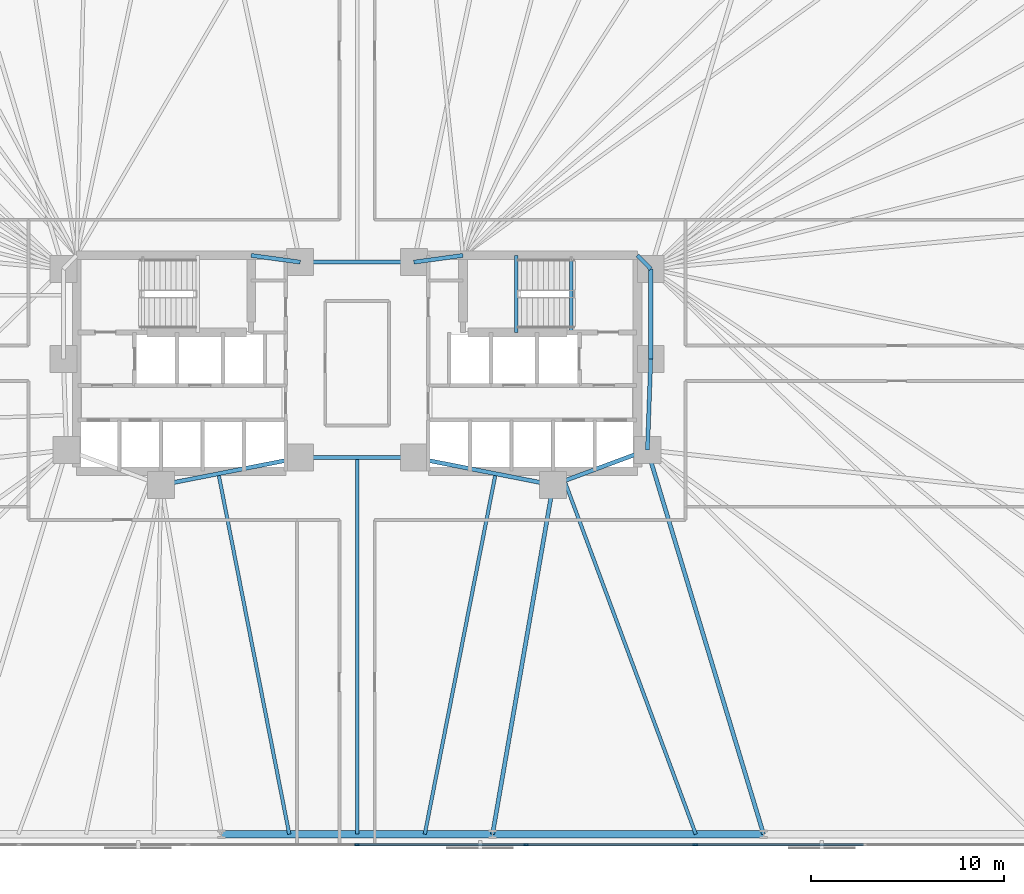
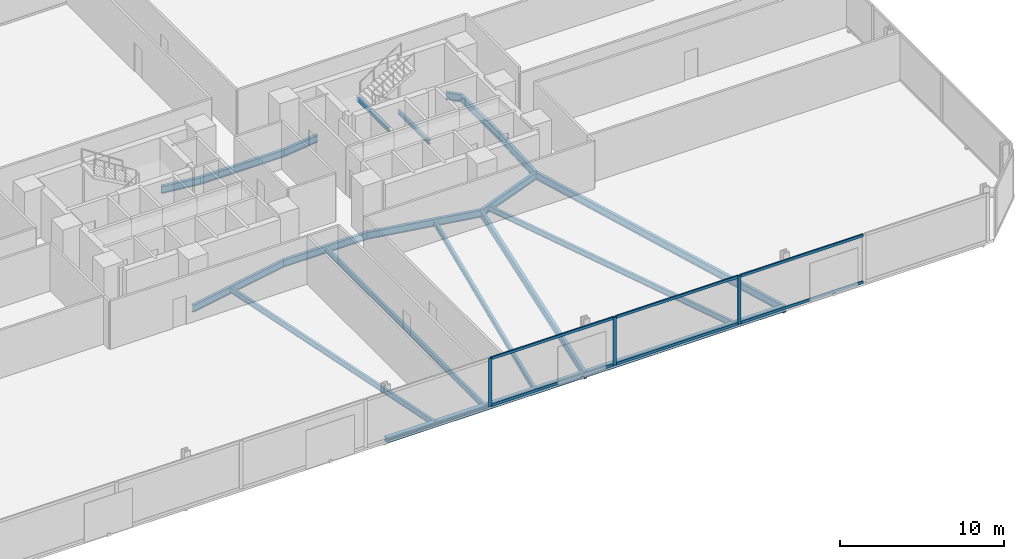
# One storey, part 7 of 16: 20 beams, 9 members, 1 element without a shape of its own.
"""IFC4 building model written with IfcOpenShell, lengths in metres."""

import ifcopenshell
import ifcopenshell.guid

model = None  # the IFC model being written
_history = None  # IfcOwnerHistory: only IFC2X3 demands one
_inside = {}  # id of a spatial element -> (the spatial element, [elements in it])
_under = {}  # id of a project, library or spatial element -> (it, [spatial elements below it])
_declared = {}  # id of a project -> (the project, [libraries it declares])
_typed = {}  # id of a type object -> (the type object, [elements of that type])
_made_of = {}  # id of a material, layer set ... -> (it, [elements and type objects made of it])


def new_model(schema):
    """Start an empty IFC model of exactly this schema.

    Asked for "IFC4X3", IfcOpenShell would pick the latest addendum, in which some entities
    have other attributes; the version numbers below select the first issue.
    IFC2X3 requires an IfcOwnerHistory on every rooted entity: one is made here for all.
    """
    global model, _history
    if schema == "IFC4X3":
        model = ifcopenshell.file(schema_version=(4, 3, 0, 0))
    else:
        model = ifcopenshell.file(schema=schema)
    _inside.clear()
    _under.clear()
    _declared.clear()
    _typed.clear()
    _made_of.clear()
    _history = None
    if model.schema == "IFC2X3":
        org = make("IfcOrganization", Name="unknown")
        user = make(
            "IfcPersonAndOrganization",
            ThePerson=make("IfcPerson", FamilyName="unknown"),
            TheOrganization=org,
        )
        app = make(
            "IfcApplication",
            ApplicationDeveloper=org,
            Version="unknown",
            ApplicationFullName="unknown",
            ApplicationIdentifier="unknown",
        )
        _history = make(
            "IfcOwnerHistory",
            OwningUser=user,
            OwningApplication=app,
            ChangeAction="ADDED",
            CreationDate=0,
        )
    return model


def make(cls, **values):
    """One entity of the class cls with the attributes given. An attribute that is None is left unset."""
    return model.create_entity(
        cls, **{name: value for name, value in values.items() if value is not None}
    )


def rooted(cls, **values):
    """An entity with a GlobalId (a new one), such as an element, a storey or a relation."""
    return make(cls, GlobalId=ifcopenshell.guid.new(), OwnerHistory=_history, **values)


def si_unit(unit_type, name, prefix=None):
    """IfcSIUnit, for example si_unit("LENGTHUNIT", "METRE", prefix="MILLI")."""
    return make("IfcSIUnit", UnitType=unit_type, Prefix=prefix, Name=name)


def assignment(units):
    """IfcUnitAssignment: the units of a project."""
    return None if units is None else make("IfcUnitAssignment", Units=units)


def point(xyz):
    """IfcCartesianPoint."""
    return None if xyz is None else make("IfcCartesianPoint", Coordinates=xyz)


def direction(xyz):
    """IfcDirection."""
    return None if xyz is None else make("IfcDirection", DirectionRatios=xyz)


def frame(location, z_axis=None, x_axis=None):
    """IfcAxis2Placement3D, a coordinate frame: its origin and axes. An axis left out is left unset."""
    return make(
        "IfcAxis2Placement3D",
        Location=point(location),
        Axis=direction(z_axis),
        RefDirection=direction(x_axis),
    )


def frame_2d(location, x_axis=None):
    """IfcAxis2Placement2D, a coordinate frame in the plane: its origin and x axis."""
    return make(
        "IfcAxis2Placement2D", Location=point(location), RefDirection=direction(x_axis)
    )


def origin():
    """The frame at (0, 0, 0) with its axes left unset."""
    return frame((0.0, 0.0, 0.0))


def origin_2d():
    """The frame at (0, 0) in the plane with its x axis left unset."""
    return frame_2d((0.0, 0.0))


def place(relative_to, where):
    """IfcLocalPlacement: puts the frame where relative to a parent placement (None: the world)."""
    return make(
        "IfcLocalPlacement", PlacementRelTo=relative_to, RelativePlacement=where
    )


def context(
    kind, dimensions, precision=None, world=None, true_north=None, identifier=None
):
    """IfcGeometricRepresentationContext, for example the 3D "Model" context."""
    return make(
        "IfcGeometricRepresentationContext",
        ContextIdentifier=identifier,
        ContextType=kind,
        CoordinateSpaceDimension=dimensions,
        Precision=precision,
        WorldCoordinateSystem=world,
        TrueNorth=true_north,
    )


def subcontext(parent, identifier, kind, view, scale=None):
    """IfcGeometricRepresentationSubContext, for example "Body" below "Model"."""
    return make(
        "IfcGeometricRepresentationSubContext",
        ContextIdentifier=identifier,
        ContextType=kind,
        ParentContext=parent,
        TargetScale=scale,
        TargetView=view,
    )


def project(units=None, contexts=None):
    """IfcProject with its units and contexts."""
    return rooted(
        "IfcProject",
        Name="project",
        RepresentationContexts=contexts,
        UnitsInContext=assignment(units),
    )


def spatial(cls, under=None, at=None, **own):
    """A site, building, storey or space (cls), placed at a placement, below another one or the project."""
    s = rooted(cls, ObjectPlacement=at, **own)
    if under is not None:
        _under.setdefault(under.id(), (under, []))[1].append(s)
    return s


def profile(cls, at=None, kind="AREA", **sizes):
    """A parametric profile (cls). Its sizes go by their IFC names, for example OverallWidth=200.0."""
    return make(cls, ProfileType=kind, Position=at, **sizes)


def rectangle(**sizes):
    """IfcRectangleProfileDef."""
    return profile("IfcRectangleProfileDef", **sizes)


def i_section(**sizes):
    """IfcIShapeProfileDef."""
    return profile("IfcIShapeProfileDef", **sizes)


def extrude(swept, where, along, depth):
    """IfcExtrudedAreaSolid: the profile swept, set in the frame where, extruded along a direction by depth."""
    return make(
        "IfcExtrudedAreaSolid",
        SweptArea=swept,
        Position=where,
        ExtrudedDirection=direction(along),
        Depth=depth,
    )


def shape(context_of_items, identifier, shape_type, items):
    """IfcShapeRepresentation: the items that make up one representation, for example the "Body"."""
    return make(
        "IfcShapeRepresentation",
        ContextOfItems=context_of_items,
        RepresentationIdentifier=identifier,
        RepresentationType=shape_type,
        Items=items,
    )


def material(Name=None, Category=None):
    """IfcMaterial."""
    return make("IfcMaterial", Name=Name, Category=Category)


def material_profile(
    of_material, cross_section, Name=None, Category=None, Priority=None
):
    """IfcMaterialProfile: a cross section and its material."""
    return make(
        "IfcMaterialProfile",
        Name=Name,
        Material=of_material,
        Profile=cross_section,
        Priority=Priority,
        Category=Category,
    )


def profile_set(profiles, Name=None, composite=None):
    """IfcMaterialProfileSet."""
    return make(
        "IfcMaterialProfileSet",
        Name=Name,
        MaterialProfiles=profiles,
        CompositeProfile=composite,
    )


def made_of(thing, what):
    """Note that an element or type object is made of a material, layer set ...; save() writes the relation."""
    if what is not None:
        _made_of.setdefault(what.id(), (what, []))[1].append(thing)
    return thing


def type_object(cls, material=None, **own):
    """A type object (cls), such as IfcWallType, which elements share."""
    return made_of(rooted(cls, **own), material)


def element(
    cls,
    number,
    at=None,
    inside=None,
    cuts=None,
    type_object=None,
    material=None,
    context=None,
    identifier="Body",
    shape_type=None,
    held_by="IfcProductDefinitionShape",
    body=None,
    shapes=None,
    **own,
):
    """One element of the class cls, such as IfcWall. Its Tag is "e" and its number.

    at: its placement. inside: the storey or other place that contains it. cuts: it is an
    opening in that element (IfcRelVoidsElement). A single representation is given by context,
    identifier, shape_type and body (its items); several are given by shapes. held_by: the class
    of the entity that holds the representations. save() writes the other relations.
    """
    e = rooted(cls, Tag="e%d" % number, ObjectPlacement=at, **own)
    if body is not None:
        shapes = [shape(context, identifier, shape_type, body)]
    if shapes is not None:
        e.Representation = make(held_by, Representations=shapes)
    if inside is not None:
        _inside.setdefault(inside.id(), (inside, []))[1].append(e)
    if cuts is not None:
        rooted(
            "IfcRelVoidsElement", RelatingBuildingElement=cuts, RelatedOpeningElement=e
        )
    if type_object is not None:
        _typed.setdefault(type_object.id(), (type_object, []))[1].append(e)
    return made_of(e, material)


def aggregate(whole, parts):
    """IfcRelAggregates: a whole, such as a stair, and the parts it consists of."""
    return rooted("IfcRelAggregates", RelatingObject=whole, RelatedObjects=parts)


def save(model, path):
    """Write the relations noted so far, then the file.

    IfcRelAggregates (storeys below a building ...), IfcRelContainedInSpatialStructure (elements
    in a storey), IfcRelDefinesByType, IfcRelAssociatesMaterial and IfcRelDeclares: one each for
    every whole, place, type object, material and project.
    """
    for whole, parts in _under.values():
        aggregate(whole, parts)
    for where, things in _inside.values():
        rooted(
            "IfcRelContainedInSpatialStructure",
            RelatedElements=things,
            RelatingStructure=where,
        )
    for kind, things in _typed.values():
        rooted("IfcRelDefinesByType", RelatedObjects=things, RelatingType=kind)
    for what, things in _made_of.values():
        rooted("IfcRelAssociatesMaterial", RelatedObjects=things, RelatingMaterial=what)
    for by, libraries in _declared.values():
        rooted("IfcRelDeclares", RelatingContext=by, RelatedDefinitions=libraries)
    model.write(path)


model = new_model("IFC4")

# Units and contexts
model_context = context("Model", 3, precision=1e-05, world=origin(), true_north=direction((0.0, 1.0)))
body_context = subcontext(model_context, "Body", "Model", "MODEL_VIEW")
ifc_project = project(units=[si_unit("LENGTHUNIT", "METRE"), si_unit("AREAUNIT", "SQUARE_METRE"), si_unit("VOLUMEUNIT", "CUBIC_METRE"), si_unit("PLANEANGLEUNIT", "RADIAN"), si_unit("MASSUNIT", "GRAM", prefix="KILO")], contexts=[model_context])

# Site, building, storey
site_placement = place(None, origin())
site = spatial("IfcSite", under=ifc_project, at=site_placement, CompositionType="ELEMENT")
building_placement = place(site_placement, origin())
building = spatial("IfcBuilding", under=site, at=building_placement, Name="Menara Jurai Vektor", CompositionType="ELEMENT")
storey_placement = place(building_placement, frame((0.0, 0.0, 14.199951171875)))
storey = spatial("IfcBuildingStorey", under=building, at=storey_placement, Name="L02", CompositionType="ELEMENT", Elevation=14.199951171875)

# Curtain wall, members
ifc_material_1 = material(Name="Anodised Pale Aluminium & Low-E Double Glazing", Category="aluminium")
curtain_wall_type = type_object("IfcCurtainWallType", Name="CW-BLK1", PredefinedType="NOTDEFINED", material=ifc_material_1)
curtain_wall_placement = place(storey_placement, origin())
curtain_wall = element("IfcCurtainWall", 1, at=curtain_wall_placement, inside=storey, type_object=curtain_wall_type, Name="Unitised Curtain Wall L02 F01", PredefinedType="NOTDEFINED")
ifc_material_2 = material(Name="Anodised Pale Aluminium Mullion", Category="aluminium")
ifc_material_profile_1 = material_profile(ifc_material_2, rectangle(XDim=0.094970703125, YDim=0.239990234375, at=origin_2d()), Name="ALU MUL 95x240")
ifc_profile_set_1 = profile_set([ifc_material_profile_1], Name="Anodised Pale Aluminium Mullion")
member_type_1 = type_object("IfcMemberType", Name="CW-BLK1-MUL", PredefinedType="MULLION", material=ifc_profile_set_1)
member_1_placement = place(storey_placement, frame((0.0, -25.0, 0.0), z_axis=(0.0, 0.0, 1.0), x_axis=(0.0, 1.0, 0.0)))
member_1 = element("IfcMember", 2, at=member_1_placement, type_object=member_type_1, Name="CW-01 mullion 5", PredefinedType="MULLION", context=body_context, shape_type="SweptSolid", body=[
    extrude(rectangle(XDim=0.094970703125, YDim=0.239990234375, at=origin_2d()), origin(), (0.0, 0.0, 1.0), 3.574951171875),
])
member_2_placement = place(storey_placement, frame((8.780029296875, -25.0, 0.0), z_axis=(0.0, 0.0, 1.0), x_axis=(0.0, 1.0, 0.0)))
member_2 = element("IfcMember", 3, at=member_2_placement, type_object=member_type_1, Name="CW-01 mullion 6", PredefinedType="MULLION", context=body_context, shape_type="SweptSolid", body=[
    extrude(rectangle(XDim=0.094970703125, YDim=0.239990234375, at=origin_2d()), origin(), (0.0, 0.0, 1.0), 3.574951171875),
])
member_3_placement = place(storey_placement, frame((17.56005859375, -25.0, 0.0), z_axis=(0.0, 0.0, 1.0), x_axis=(0.0, 1.0, 0.0)))
member_3 = element("IfcMember", 4, at=member_3_placement, type_object=member_type_1, Name="CW-01 mullion 7", PredefinedType="MULLION", context=body_context, shape_type="SweptSolid", body=[
    extrude(rectangle(XDim=0.094970703125, YDim=0.239990234375, at=origin_2d()), origin(), (0.0, 0.0, 1.0), 3.574951171875),
])
ifc_material_3 = material(Name="Anodised Pale Aluminium Transom", Category="aluminium")
ifc_material_profile_2 = material_profile(ifc_material_3, rectangle(XDim=0.094970703125, YDim=0.199951171875, at=origin_2d()), Name="ALU TRN 95x200")
ifc_profile_set_2 = profile_set([ifc_material_profile_2], Name="Anodised Pale Aluminium Transom")
member_type_2 = type_object("IfcMemberType", Name="CW-BLK1-TRN", PredefinedType="USERDEFINED", material=ifc_profile_set_2)
member_4_placement = place(storey_placement, frame((0.047607421875, -25.0, 0.047607421875), z_axis=(1.0, 0.0, 0.0), x_axis=(0.0, 1.0, 0.0)))
member_4 = element("IfcMember", 5, at=member_4_placement, type_object=member_type_2, Name="CW-01 transom 5.1", ObjectType="TRANSOM", PredefinedType="USERDEFINED", context=body_context, shape_type="SweptSolid", body=[
    extrude(rectangle(XDim=0.094970703125, YDim=0.199951171875, at=origin_2d()), origin(), (0.0, 0.0, 1.0), 8.684814453125),
])
member_5_placement = place(storey_placement, frame((0.047607421875, -25.0, 3.527587890625), z_axis=(1.0, 0.0, 0.0), x_axis=(0.0, 1.0, 0.0)))
member_5 = element("IfcMember", 6, at=member_5_placement, type_object=member_type_2, Name="CW-01 transom 5.2", ObjectType="TRANSOM", PredefinedType="USERDEFINED", context=body_context, shape_type="SweptSolid", body=[
    extrude(rectangle(XDim=0.094970703125, YDim=0.199951171875, at=origin_2d()), origin(), (0.0, 0.0, 1.0), 8.684814453125),
])
member_6_placement = place(storey_placement, frame((8.827392578125, -25.0, 0.047607421875), z_axis=(1.0, 0.0, 0.0), x_axis=(0.0, 1.0, 0.0)))
member_6 = element("IfcMember", 7, at=member_6_placement, type_object=member_type_2, Name="CW-01 transom 6.1", ObjectType="TRANSOM", PredefinedType="USERDEFINED", context=body_context, shape_type="SweptSolid", body=[
    extrude(rectangle(XDim=0.094970703125, YDim=0.199951171875, at=origin_2d()), origin(), (0.0, 0.0, 1.0), 8.68505859375),
])
member_7_placement = place(storey_placement, frame((8.827392578125, -25.0, 3.527587890625), z_axis=(1.0, 0.0, 0.0), x_axis=(0.0, 1.0, 0.0)))
member_7 = element("IfcMember", 8, at=member_7_placement, type_object=member_type_2, Name="CW-01 transom 6.2", ObjectType="TRANSOM", PredefinedType="USERDEFINED", context=body_context, shape_type="SweptSolid", body=[
    extrude(rectangle(XDim=0.094970703125, YDim=0.199951171875, at=origin_2d()), origin(), (0.0, 0.0, 1.0), 8.68505859375),
])
member_8_placement = place(storey_placement, frame((17.607421875, -25.0, 0.047607421875), z_axis=(1.0, 0.0, 0.0), x_axis=(0.0, 1.0, 0.0)))
member_8 = element("IfcMember", 9, at=member_8_placement, type_object=member_type_2, Name="CW-01 transom 7.1", ObjectType="TRANSOM", PredefinedType="USERDEFINED", context=body_context, shape_type="SweptSolid", body=[
    extrude(rectangle(XDim=0.094970703125, YDim=0.199951171875, at=origin_2d()), origin(), (0.0, 0.0, 1.0), 8.68505859375),
])
member_9_placement = place(storey_placement, frame((17.607421875, -25.0, 3.527587890625), z_axis=(1.0, 0.0, 0.0), x_axis=(0.0, 1.0, 0.0)))
member_9 = element("IfcMember", 10, at=member_9_placement, type_object=member_type_2, Name="CW-01 transom 7.2", ObjectType="TRANSOM", PredefinedType="USERDEFINED", context=body_context, shape_type="SweptSolid", body=[
    extrude(rectangle(XDim=0.094970703125, YDim=0.199951171875, at=origin_2d()), origin(), (0.0, 0.0, 1.0), 8.68505859375),
])
aggregate(curtain_wall, [member_1, member_2, member_3, member_4, member_5, member_6, member_7, member_8, member_9])

# Beams
ifc_material_4 = material(Name="Steel S355", Category="steel")
ifc_material_profile_3 = material_profile(ifc_material_4, i_section(OverallWidth=0.2109375, OverallDepth=0.5390625, WebThickness=0.011962890625, FlangeThickness=0.01904296875, FilletRadius=0.012939453125, at=origin_2d()), Name="UKB 533x210x109")
ifc_profile_set_3 = profile_set([ifc_material_profile_3], Name="Steel S355")
beam_type_1 = type_object("IfcBeamType", Name="STR-BM-533", PredefinedType="BEAM", material=ifc_profile_set_3)
beam_1_placement = place(storey_placement, frame((-5.5, 5.60009765625, -0.494384765625), z_axis=(0.990706818608, -0.136014703483, 0.0), x_axis=(0.136014703483, 0.990706818608, 0.0)))
element("IfcBeam", 11, at=beam_1_placement, inside=storey, type_object=beam_type_1, Name="Core Ring Header Girder L02-CHW-N2", PredefinedType="BEAM", context=body_context, shape_type="SweptSolid", body=[
    extrude(i_section(OverallWidth=0.2109375, OverallDepth=0.5390625, WebThickness=0.011962890625, FlangeThickness=0.01904296875, FilletRadius=0.012939453125, at=origin_2d()), origin(), (0.0, 0.0, 1.0), 2.573974609375),
])
beam_2_placement = place(storey_placement, frame((-10.179931640625, -6.320068359375, -0.494384765625), z_axis=(0.981249044334, 0.192744164614, 0.0), x_axis=(-0.192744164614, 0.981249044334, 0.0)))
element("IfcBeam", 12, at=beam_2_placement, inside=storey, type_object=beam_type_1, Name="Core Ring Header Girder L02-CHW-S2", PredefinedType="BEAM", context=body_context, shape_type="SweptSolid", body=[
    extrude(i_section(OverallWidth=0.2109375, OverallDepth=0.5390625, WebThickness=0.011962890625, FlangeThickness=0.01904296875, FilletRadius=0.012939453125, at=origin_2d()), origin(), (0.0, 0.0, 1.0), 7.3681640625),
])
beam_3_placement = place(storey_placement, frame((2.949951171875, 5.25, -0.494384765625), z_axis=(0.990706818608, 0.136014703483, 0.0), x_axis=(-0.136014703483, 0.990706818608, 0.0)))
element("IfcBeam", 13, at=beam_3_placement, inside=storey, type_object=beam_type_1, Name="Core Ring Header Girder L02-CHE-N1", PredefinedType="BEAM", context=body_context, shape_type="SweptSolid", body=[
    extrude(i_section(OverallWidth=0.2109375, OverallDepth=0.5390625, WebThickness=0.011962890625, FlangeThickness=0.01904296875, FilletRadius=0.012939453125, at=origin_2d()), origin(), (0.0, 0.0, 1.0), 2.573974609375),
])
beam_4_placement = place(storey_placement, frame((14.56005859375, 5.60009765625, -0.494384765625), z_axis=(0.701871936926, -0.712303154672, 0.0), x_axis=(0.712303154672, 0.701871936926, 0.0)))
element("IfcBeam", 14, at=beam_4_placement, inside=storey, type_object=beam_type_1, Name="Core Ring Header Girder L02-CHE-N2", PredefinedType="BEAM", context=body_context, shape_type="SweptSolid", body=[
    extrude(i_section(OverallWidth=0.2109375, OverallDepth=0.5390625, WebThickness=0.011962890625, FlangeThickness=0.01904296875, FilletRadius=0.012939453125, at=origin_2d()), origin(), (0.0, 0.0, 1.0), 0.98291015625),
])
beam_5_placement = place(storey_placement, frame((15.25, 0.219970703125, -0.494384765625), z_axis=(0.0, 1.0, 0.0), x_axis=(-1.0, 0.0, 0.0)))
element("IfcBeam", 15, at=beam_5_placement, inside=storey, type_object=beam_type_1, Name="Core Ring Header Girder L02-CHE-E1", PredefinedType="BEAM", context=body_context, shape_type="SweptSolid", body=[
    extrude(i_section(OverallWidth=0.2109375, OverallDepth=0.5390625, WebThickness=0.011962890625, FlangeThickness=0.01904296875, FilletRadius=0.012939453125, at=origin_2d()), origin(), (0.0, 0.0, 1.0), 4.679931640625),
])
beam_6_placement = place(storey_placement, frame((15.080078125, -4.5, -0.494384765625), z_axis=(0.035977314146, 0.999352606874, 0.0), x_axis=(-0.999352606874, 0.035977314146, 0.0)))
element("IfcBeam", 16, at=beam_6_placement, inside=storey, type_object=beam_type_1, Name="Core Ring Header Girder L02-CHE-E2", PredefinedType="BEAM", context=body_context, shape_type="SweptSolid", body=[
    extrude(i_section(OverallWidth=0.2109375, OverallDepth=0.5390625, WebThickness=0.011962890625, FlangeThickness=0.01904296875, FilletRadius=0.012939453125, at=origin_2d()), origin(), (0.0, 0.0, 1.0), 4.72314453125),
])
beam_7_placement = place(storey_placement, frame((10.179931640625, -6.320068359375, -0.494384765625), z_axis=(0.937424400887, 0.348188874925, 0.0), x_axis=(-0.348188874925, 0.937424400887, 0.0)))
element("IfcBeam", 17, at=beam_7_placement, inside=storey, type_object=beam_type_1, Name="Core Ring Header Girder L02-CHE-S1", PredefinedType="BEAM", context=body_context, shape_type="SweptSolid", body=[
    extrude(i_section(OverallWidth=0.2109375, OverallDepth=0.5390625, WebThickness=0.011962890625, FlangeThickness=0.01904296875, FilletRadius=0.012939453125, at=origin_2d()), origin(), (0.0, 0.0, 1.0), 5.227294921875),
])
beam_8_placement = place(storey_placement, frame((2.949951171875, -4.89990234375, -0.494384765625), z_axis=(0.981249044334, -0.192744164614, 0.0), x_axis=(0.192744164614, 0.981249044334, 0.0)))
element("IfcBeam", 18, at=beam_8_placement, inside=storey, type_object=beam_type_1, Name="Core Ring Header Girder L02-CHE-S2", PredefinedType="BEAM", context=body_context, shape_type="SweptSolid", body=[
    extrude(i_section(OverallWidth=0.2109375, OverallDepth=0.5390625, WebThickness=0.011962890625, FlangeThickness=0.01904296875, FilletRadius=0.012939453125, at=origin_2d()), origin(), (0.0, 0.0, 1.0), 7.3681640625),
])
for number, where, z_axis, x_axis, name in (
    (19, (-2.949951171875, -4.89990234375, -0.494384765625), (1.0, 0.0, 0.0), (0.0, 1.0, 0.0), "Core Ring Header Girder L02-CC-1"),
    (20, (-2.949951171875, 5.25, -0.494384765625), (1.0, 0.0, 0.0), (0.0, 1.0, 0.0), "Core Ring Header Girder L02-CC-2"),
):
    element("IfcBeam", number, at=place(storey_placement, frame(where, z_axis=z_axis, x_axis=x_axis)), inside=storey, type_object=beam_type_1, Name=name, PredefinedType="BEAM", context=body_context, shape_type="SweptSolid", body=[
        extrude(i_section(OverallWidth=0.2109375, OverallDepth=0.5390625, WebThickness=0.011962890625, FlangeThickness=0.01904296875, FilletRadius=0.012939453125, at=origin_2d()), origin(), (0.0, 0.0, 1.0), 5.89990234375),
    ])
beam_9_placement = place(storey_placement, frame((7.03564453125, -24.449951171875, -0.494384765625), z_axis=(0.170880325642, 0.985291791455, 0.0), x_axis=(-0.985291791455, 0.170880325642, 0.0)))
element("IfcBeam", 21, at=beam_9_placement, inside=storey, type_object=beam_type_1, Name="Radial Floor Girder L02-S4", PredefinedType="BEAM", context=body_context, shape_type="SweptSolid", body=[
    extrude(i_section(OverallWidth=0.2109375, OverallDepth=0.5390625, WebThickness=0.011962890625, FlangeThickness=0.01904296875, FilletRadius=0.012939453125, at=origin_2d()), origin(), (0.0, 0.0, 1.0), 18.400634765625),
])
beam_10_placement = place(storey_placement, frame((21.106689453125, -24.449951171875, -0.494384765625), z_axis=(-0.289179812203, 0.957274796604, 0.0), x_axis=(-0.957274796604, -0.289179812203, 0.0)))
element("IfcBeam", 22, at=beam_10_placement, inside=storey, type_object=beam_type_1, Name="Radial Floor Girder L02-S5", PredefinedType="BEAM", context=body_context, shape_type="SweptSolid", body=[
    extrude(i_section(OverallWidth=0.2109375, OverallDepth=0.5390625, WebThickness=0.011962890625, FlangeThickness=0.01904296875, FilletRadius=0.012939453125, at=origin_2d()), origin(), (0.0, 0.0, 1.0), 20.84033203125),
])
ifc_material_5 = material(Name="Steel S460", Category="steel")
ifc_material_profile_4 = material_profile(ifc_material_5, i_section(OverallWidth=0.39697265625, OverallDepth=0.31591796875, WebThickness=0.030029296875, FlangeThickness=0.048095703125, FilletRadius=0.014892578125, at=origin_2d()), Name="HD 400x382")
ifc_profile_set_4 = profile_set([ifc_material_profile_4], Name="Steel S460")
beam_type_2 = type_object("IfcBeamType", Name="STR-BM-CHORD382", PredefinedType="SPANDREL", material=ifc_profile_set_4)
beam_11_placement = place(storey_placement, frame((-7.03564453125, -24.449951171875, -0.383056640625), z_axis=(1.0, 0.0, 0.0), x_axis=(0.0, 1.0, 0.0)))
element("IfcBeam", 23, at=beam_11_placement, inside=storey, type_object=beam_type_2, Name="Exoskeleton Spandrel Beam L02-03", PredefinedType="SPANDREL", context=body_context, shape_type="SweptSolid", body=[
    extrude(i_section(OverallWidth=0.39697265625, OverallDepth=0.31591796875, WebThickness=0.030029296875, FlangeThickness=0.048095703125, FilletRadius=0.014892578125, at=origin_2d()), origin(), (0.0, 0.0, 1.0), 14.0712890625),
])
beam_12_placement = place(storey_placement, frame((7.03564453125, -24.449951171875, -0.383056640625), z_axis=(1.0, 0.0, 0.0), x_axis=(0.0, 1.0, 0.0)))
element("IfcBeam", 24, at=beam_12_placement, inside=storey, type_object=beam_type_2, Name="Exoskeleton Spandrel Beam L02-04", PredefinedType="SPANDREL", context=body_context, shape_type="SweptSolid", body=[
    extrude(i_section(OverallWidth=0.39697265625, OverallDepth=0.31591796875, WebThickness=0.030029296875, FlangeThickness=0.048095703125, FilletRadius=0.014892578125, at=origin_2d()), origin(), (0.0, 0.0, 1.0), 14.071044921875),
])
ifc_material_profile_5 = material_profile(ifc_material_4, i_section(OverallWidth=0.178955078125, OverallDepth=0.408935546875, WebThickness=0.009033203125, FlangeThickness=0.013916015625, FilletRadius=0.010009765625, at=origin_2d()), Name="UKB 406x178x67")
ifc_profile_set_5 = profile_set([ifc_material_profile_5], Name="Steel S355")
beam_type_3 = type_object("IfcBeamType", Name="STR-JS-406", PredefinedType="JOIST", material=ifc_profile_set_5)
beam_13_placement = place(storey_placement, frame((-3.517822265625, -24.449951171875, -0.429443359375), z_axis=(-0.192723076671, 0.981253186348, 0.0), x_axis=(-0.981253186348, -0.192723076671, 0.0)))
element("IfcBeam", 25, at=beam_13_placement, inside=storey, type_object=beam_type_3, Name="Radial Secondary Floor Joist L02-JS04", PredefinedType="JOIST", context=body_context, shape_type="SweptSolid", body=[
    extrude(i_section(OverallWidth=0.178955078125, OverallDepth=0.408935546875, WebThickness=0.009033203125, FlangeThickness=0.013916015625, FilletRadius=0.010009765625, at=origin_2d()), origin(), (0.0, 0.0, 1.0), 19.07421875),
])
beam_14_placement = place(storey_placement, frame((0.0, -24.449951171875, -0.429443359375), z_axis=(0.0, 1.0, 0.0), x_axis=(-1.0, 0.0, 0.0)))
element("IfcBeam", 26, at=beam_14_placement, inside=storey, type_object=beam_type_3, Name="Radial Secondary Floor Joist L02-JS05", PredefinedType="JOIST", context=body_context, shape_type="SweptSolid", body=[
    extrude(i_section(OverallWidth=0.178955078125, OverallDepth=0.408935546875, WebThickness=0.009033203125, FlangeThickness=0.013916015625, FilletRadius=0.010009765625, at=origin_2d()), origin(), (0.0, 0.0, 1.0), 19.550048828125),
])
beam_15_placement = place(storey_placement, frame((3.517822265625, -24.449951171875, -0.429443359375), z_axis=(0.192723076671, 0.981253186348, 0.0), x_axis=(-0.981253186348, 0.192723076671, 0.0)))
element("IfcBeam", 27, at=beam_15_placement, inside=storey, type_object=beam_type_3, Name="Radial Secondary Floor Joist L02-JS06", PredefinedType="JOIST", context=body_context, shape_type="SweptSolid", body=[
    extrude(i_section(OverallWidth=0.178955078125, OverallDepth=0.408935546875, WebThickness=0.009033203125, FlangeThickness=0.013916015625, FilletRadius=0.010009765625, at=origin_2d()), origin(), (0.0, 0.0, 1.0), 19.07421875),
])
beam_16_placement = place(storey_placement, frame((17.5888671875, -24.449951171875, -0.429443359375), z_axis=(-0.348179014223, 0.937428063403, 0.0), x_axis=(-0.937428063403, -0.348179014223, 0.0)))
element("IfcBeam", 28, at=beam_16_placement, inside=storey, type_object=beam_type_3, Name="Radial Secondary Floor Joist L02-JS07", PredefinedType="JOIST", context=body_context, shape_type="SweptSolid", body=[
    extrude(i_section(OverallWidth=0.178955078125, OverallDepth=0.408935546875, WebThickness=0.009033203125, FlangeThickness=0.013916015625, FilletRadius=0.010009765625, at=origin_2d()), origin(), (0.0, 0.0, 1.0), 19.5751953125),
])
ifc_material_profile_6 = material_profile(ifc_material_4, i_section(OverallWidth=0.1650390625, OverallDepth=0.302978515625, WebThickness=0.006103515625, FlangeThickness=0.010009765625, FilletRadius=0.009033203125, at=origin_2d()), Name="UKB 305x165x40")
ifc_profile_set_6 = profile_set([ifc_material_profile_6], Name="Steel S355")
beam_type_4 = type_object("IfcBeamType", Name="STR-LN-305", PredefinedType="LINTEL", material=ifc_profile_set_6)
beam_17_placement = place(storey_placement, frame((11.1201171875, 1.60009765625, -0.37646484375), z_axis=(0.0, 1.0, 0.0), x_axis=(-1.0, 0.0, 0.0)))
element("IfcBeam", 29, at=beam_17_placement, inside=storey, type_object=beam_type_4, Name="Stair Well Floor Trimmer ST2 L02", PredefinedType="LINTEL", context=body_context, shape_type="SweptSolid", body=[
    extrude(i_section(OverallWidth=0.1650390625, OverallDepth=0.302978515625, WebThickness=0.006103515625, FlangeThickness=0.010009765625, FilletRadius=0.009033203125, at=origin_2d()), origin(), (0.0, 0.0, 1.0), 3.81982421875),
])
beam_18_placement = place(storey_placement, frame((8.27001953125, 1.60009765625, 1.548583984375), z_axis=(0.0, 1.0, 0.0), x_axis=(-1.0, 0.0, 0.0)))
element("IfcBeam", 30, at=beam_18_placement, inside=storey, type_object=beam_type_4, Name="Stair Half-Landing Nosing Trimmer ST2-1 L02", PredefinedType="LINTEL", context=body_context, shape_type="SweptSolid", body=[
    extrude(i_section(OverallWidth=0.1650390625, OverallDepth=0.302978515625, WebThickness=0.006103515625, FlangeThickness=0.010009765625, FilletRadius=0.009033203125, at=origin_2d()), origin(), (0.0, 0.0, 1.0), 4.0),
])

save(model, "model.ifc")
